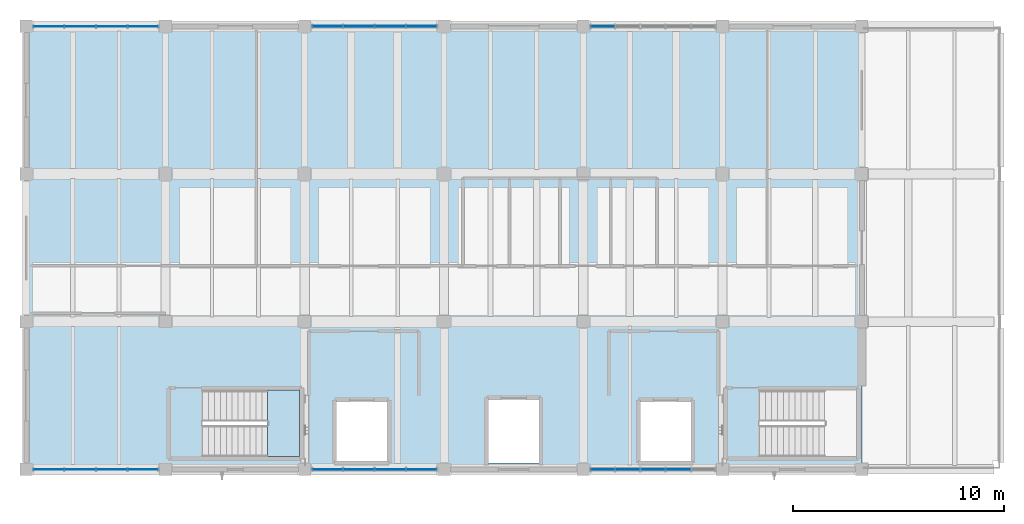
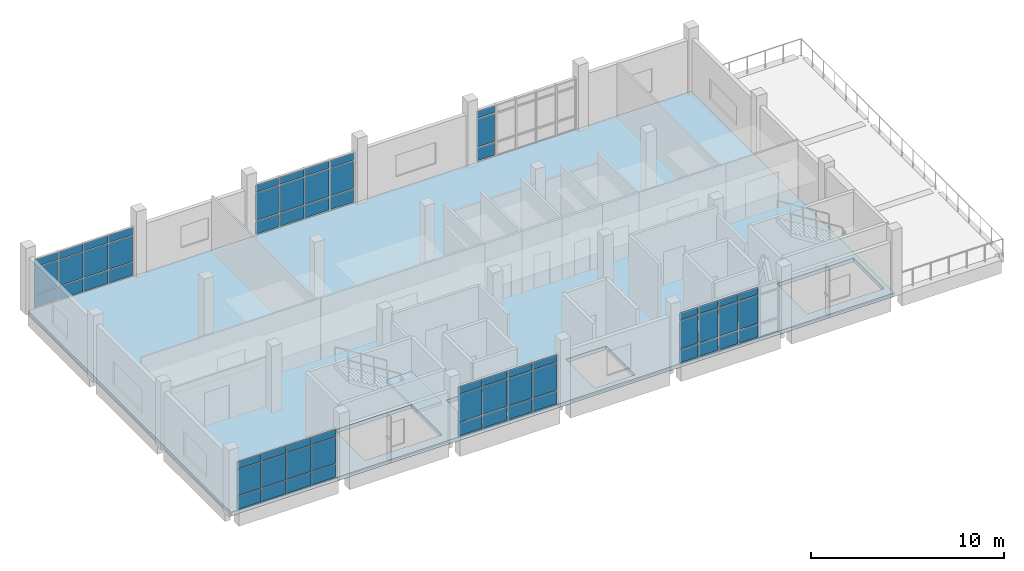
# One storey, part 6 of 14: 63 plates, 2 slabs, 7 elements without a shape of their own.
"""IFC4 building model written with IfcOpenShell, lengths in metres."""

from ifc_helpers import new_model, si_unit, direction, frame, origin, origin_2d, place, context, subcontext, project, spatial, polyline, rectangle, outline, extrude, material, layer, layer_set, type_object, element, aggregate, save


model = new_model("IFC4")

# Units and contexts
model_context = context("Model", 3, precision=1e-05, world=origin(), true_north=direction((0.0, 1.0)))
body_context = subcontext(model_context, "Body", "Model", "MODEL_VIEW")
ifc_project = project(units=[si_unit("LENGTHUNIT", "METRE"), si_unit("AREAUNIT", "SQUARE_METRE"), si_unit("VOLUMEUNIT", "CUBIC_METRE"), si_unit("PLANEANGLEUNIT", "RADIAN"), si_unit("MASSUNIT", "GRAM", prefix="KILO")], contexts=[model_context])

# Site, building, storey
site_placement = place(None, origin())
site = spatial("IfcSite", under=ifc_project, at=site_placement, CompositionType="ELEMENT")
building_placement = place(site_placement, origin())
building = spatial("IfcBuilding", under=site, at=building_placement, Name="Ciguamira Faculty of Natural Sciences", CompositionType="ELEMENT")
storey_placement = place(building_placement, frame((0.0, 0.0, 29.39990234375)))
storey = spatial("IfcBuildingStorey", under=building, at=storey_placement, Name="L07", CompositionType="ELEMENT", Elevation=29.39990234375)

# Curtain wall, plates
ifc_material_1 = material(Name="Anodized aluminium curtain wall", Category="aluminium")
curtain_wall_type_1 = type_object("IfcCurtainWallType", Name="CurtainWall_CW-05", PredefinedType="USERDEFINED", material=ifc_material_1)
curtain_wall_1_placement = place(storey_placement, origin())
curtain_wall_1 = element("IfcCurtainWall", 1, at=curtain_wall_1_placement, inside=storey, type_object=curtain_wall_type_1, Name="L07 unitised curtain wall 0149", ObjectType="UNITISED CURTAIN WALL", PredefinedType="USERDEFINED")
ifc_material_2 = material(Name="Low-E laminated solar glass", Category="glass")
ifc_layer_1 = layer(ifc_material_2, 0.028076171875, Name="Low-E laminated solar glass")
ifc_layer_set_1 = layer_set([ifc_layer_1], Name="Low-E laminated solar glass")
plate_type_1 = type_object("IfcPlateType", Name="CWPanel_CWP-01", PredefinedType="CURTAIN_PANEL", material=ifc_layer_set_1)
plate_1_placement = place(storey_placement, frame((78.16748046875, 94.0, 0.070068359375), z_axis=(0.0, 0.0, 1.0), x_axis=(1.0, 0.0, 0.0)))
plate_1 = element("IfcPlate", 2, at=plate_1_placement, type_object=plate_type_1, Name="CW-05 panel 1.1", PredefinedType="CURTAIN_PANEL", context=body_context, shape_type="SweptSolid", body=[
    extrude(rectangle(XDim=1.39501953125, YDim=0.028076171875, at=origin_2d()), origin(), (0.0, 0.0, 1.0), 0.794921875),
])
plate_2_placement = place(storey_placement, frame((78.16748046875, 94.0, 0.93505859375), z_axis=(0.0, 0.0, 1.0), x_axis=(1.0, 0.0, 0.0)))
plate_2 = element("IfcPlate", 3, at=plate_2_placement, type_object=plate_type_1, Name="CW-05 panel 1.2", PredefinedType="CURTAIN_PANEL", context=body_context, shape_type="SweptSolid", body=[
    extrude(rectangle(XDim=1.39501953125, YDim=0.028076171875, at=origin_2d()), origin(), (0.0, 0.0, 1.0), 1.715087890625),
])
plate_3_placement = place(storey_placement, frame((78.16748046875, 94.0, 2.72021484375), z_axis=(0.0, 0.0, 1.0), x_axis=(1.0, 0.0, 0.0)))
plate_3 = element("IfcPlate", 4, at=plate_3_placement, type_object=plate_type_1, Name="CW-05 panel 1.3", PredefinedType="CURTAIN_PANEL", context=body_context, shape_type="SweptSolid", body=[
    extrude(rectangle(XDim=1.39501953125, YDim=0.028076171875, at=origin_2d()), origin(), (0.0, 0.0, 1.0), 0.445068359375),
])
plate_4_placement = place(storey_placement, frame((79.64990234375, 94.0, 0.070068359375), z_axis=(0.0, 0.0, 1.0), x_axis=(1.0, 0.0, 0.0)))
plate_4 = element("IfcPlate", 5, at=plate_4_placement, type_object=plate_type_1, Name="CW-05 panel 2.1", PredefinedType="CURTAIN_PANEL", context=body_context, shape_type="SweptSolid", body=[
    extrude(rectangle(XDim=1.429931640625, YDim=0.028076171875, at=origin_2d()), origin(), (0.0, 0.0, 1.0), 0.794921875),
])
plate_5_placement = place(storey_placement, frame((79.64990234375, 94.0, 0.93505859375), z_axis=(0.0, 0.0, 1.0), x_axis=(1.0, 0.0, 0.0)))
plate_5 = element("IfcPlate", 6, at=plate_5_placement, type_object=plate_type_1, Name="CW-05 panel 2.2", PredefinedType="CURTAIN_PANEL", context=body_context, shape_type="SweptSolid", body=[
    extrude(rectangle(XDim=1.429931640625, YDim=0.028076171875, at=origin_2d()), origin(), (0.0, 0.0, 1.0), 1.715087890625),
])
plate_6_placement = place(storey_placement, frame((79.64990234375, 94.0, 2.72021484375), z_axis=(0.0, 0.0, 1.0), x_axis=(1.0, 0.0, 0.0)))
plate_6 = element("IfcPlate", 7, at=plate_6_placement, type_object=plate_type_1, Name="CW-05 panel 2.3", PredefinedType="CURTAIN_PANEL", context=body_context, shape_type="SweptSolid", body=[
    extrude(rectangle(XDim=1.429931640625, YDim=0.028076171875, at=origin_2d()), origin(), (0.0, 0.0, 1.0), 0.445068359375),
])
plate_7_placement = place(storey_placement, frame((81.14990234375, 94.0, 0.070068359375), z_axis=(0.0, 0.0, 1.0), x_axis=(1.0, 0.0, 0.0)))
plate_7 = element("IfcPlate", 8, at=plate_7_placement, type_object=plate_type_1, Name="CW-05 panel 3.1", PredefinedType="CURTAIN_PANEL", context=body_context, shape_type="SweptSolid", body=[
    extrude(rectangle(XDim=1.429931640625, YDim=0.028076171875, at=origin_2d()), origin(), (0.0, 0.0, 1.0), 0.794921875),
])
plate_8_placement = place(storey_placement, frame((81.14990234375, 94.0, 0.93505859375), z_axis=(0.0, 0.0, 1.0), x_axis=(1.0, 0.0, 0.0)))
plate_8 = element("IfcPlate", 9, at=plate_8_placement, type_object=plate_type_1, Name="CW-05 panel 3.2", PredefinedType="CURTAIN_PANEL", context=body_context, shape_type="SweptSolid", body=[
    extrude(rectangle(XDim=1.429931640625, YDim=0.028076171875, at=origin_2d()), origin(), (0.0, 0.0, 1.0), 1.715087890625),
])
plate_9_placement = place(storey_placement, frame((81.14990234375, 94.0, 2.72021484375), z_axis=(0.0, 0.0, 1.0), x_axis=(1.0, 0.0, 0.0)))
plate_9 = element("IfcPlate", 10, at=plate_9_placement, type_object=plate_type_1, Name="CW-05 panel 3.3", PredefinedType="CURTAIN_PANEL", context=body_context, shape_type="SweptSolid", body=[
    extrude(rectangle(XDim=1.429931640625, YDim=0.028076171875, at=origin_2d()), origin(), (0.0, 0.0, 1.0), 0.445068359375),
])
plate_10_placement = place(storey_placement, frame((82.632568359375, 94.0, 0.070068359375), z_axis=(0.0, 0.0, 1.0), x_axis=(1.0, 0.0, 0.0)))
plate_10 = element("IfcPlate", 11, at=plate_10_placement, type_object=plate_type_1, Name="CW-05 panel 4.1", PredefinedType="CURTAIN_PANEL", context=body_context, shape_type="SweptSolid", body=[
    extrude(rectangle(XDim=1.39501953125, YDim=0.028076171875, at=origin_2d()), origin(), (0.0, 0.0, 1.0), 0.794921875),
])
plate_11_placement = place(storey_placement, frame((82.632568359375, 94.0, 0.93505859375), z_axis=(0.0, 0.0, 1.0), x_axis=(1.0, 0.0, 0.0)))
plate_11 = element("IfcPlate", 12, at=plate_11_placement, type_object=plate_type_1, Name="CW-05 panel 4.2", PredefinedType="CURTAIN_PANEL", context=body_context, shape_type="SweptSolid", body=[
    extrude(rectangle(XDim=1.39501953125, YDim=0.028076171875, at=origin_2d()), origin(), (0.0, 0.0, 1.0), 1.715087890625),
])
plate_12_placement = place(storey_placement, frame((82.632568359375, 94.0, 2.72021484375), z_axis=(0.0, 0.0, 1.0), x_axis=(1.0, 0.0, 0.0)))
plate_12 = element("IfcPlate", 13, at=plate_12_placement, type_object=plate_type_1, Name="CW-05 panel 4.3", PredefinedType="CURTAIN_PANEL", context=body_context, shape_type="SweptSolid", body=[
    extrude(rectangle(XDim=1.39501953125, YDim=0.028076171875, at=origin_2d()), origin(), (0.0, 0.0, 1.0), 0.445068359375),
])
aggregate(curtain_wall_1, [plate_1, plate_2, plate_3, plate_4, plate_5, plate_6, plate_7, plate_8, plate_9, plate_10, plate_11, plate_12])

curtain_wall_type_2 = type_object("IfcCurtainWallType", Name="CurtainWall_CW-07", PredefinedType="USERDEFINED", material=ifc_material_1)
curtain_wall_2_placement = place(storey_placement, origin())
curtain_wall_2 = element("IfcCurtainWall", 14, at=curtain_wall_2_placement, inside=storey, type_object=curtain_wall_type_2, Name="L07 unitised curtain wall 0151", ObjectType="UNITISED CURTAIN WALL", PredefinedType="USERDEFINED")
plate_13_placement = place(storey_placement, frame((64.965087890625, 115.0, 0.06005859375), z_axis=(0.0, 0.0, 1.0), x_axis=(1.0, 0.0, 0.0)))
plate_13 = element("IfcPlate", 15, at=plate_13_placement, type_object=plate_type_1, Name="CW-07 panel 1.1", PredefinedType="CURTAIN_PANEL", context=body_context, shape_type="SweptSolid", body=[
    extrude(rectangle(XDim=1.409912109375, YDim=0.028076171875, at=origin_2d()), origin(), (0.0, 0.0, 1.0), 0.81005859375),
])
plate_14_placement = place(storey_placement, frame((64.965087890625, 115.0, 0.93017578125), z_axis=(0.0, 0.0, 1.0), x_axis=(1.0, 0.0, 0.0)))
plate_14 = element("IfcPlate", 16, at=plate_14_placement, type_object=plate_type_1, Name="CW-07 panel 1.2", PredefinedType="CURTAIN_PANEL", context=body_context, shape_type="SweptSolid", body=[
    extrude(rectangle(XDim=1.409912109375, YDim=0.028076171875, at=origin_2d()), origin(), (0.0, 0.0, 1.0), 1.625),
])
plate_15_placement = place(storey_placement, frame((64.965087890625, 115.0, 2.615234375), z_axis=(0.0, 0.0, 1.0), x_axis=(1.0, 0.0, 0.0)))
plate_15 = element("IfcPlate", 17, at=plate_15_placement, type_object=plate_type_1, Name="CW-07 panel 1.3", PredefinedType="CURTAIN_PANEL", context=body_context, shape_type="SweptSolid", body=[
    extrude(rectangle(XDim=1.409912109375, YDim=0.028076171875, at=origin_2d()), origin(), (0.0, 0.0, 1.0), 0.4599609375),
])
plate_16_placement = place(storey_placement, frame((66.449951171875, 115.0, 0.06005859375), z_axis=(0.0, 0.0, 1.0), x_axis=(1.0, 0.0, 0.0)))
plate_16 = element("IfcPlate", 18, at=plate_16_placement, type_object=plate_type_1, Name="CW-07 panel 2.1", PredefinedType="CURTAIN_PANEL", context=body_context, shape_type="SweptSolid", body=[
    extrude(rectangle(XDim=1.43994140625, YDim=0.028076171875, at=origin_2d()), origin(), (0.0, 0.0, 1.0), 0.81005859375),
])
plate_17_placement = place(storey_placement, frame((66.449951171875, 115.0, 0.93017578125), z_axis=(0.0, 0.0, 1.0), x_axis=(1.0, 0.0, 0.0)))
plate_17 = element("IfcPlate", 19, at=plate_17_placement, type_object=plate_type_1, Name="CW-07 panel 2.2", PredefinedType="CURTAIN_PANEL", context=body_context, shape_type="SweptSolid", body=[
    extrude(rectangle(XDim=1.43994140625, YDim=0.028076171875, at=origin_2d()), origin(), (0.0, 0.0, 1.0), 1.625),
])
plate_18_placement = place(storey_placement, frame((66.449951171875, 115.0, 2.615234375), z_axis=(0.0, 0.0, 1.0), x_axis=(1.0, 0.0, 0.0)))
plate_18 = element("IfcPlate", 20, at=plate_18_placement, type_object=plate_type_1, Name="CW-07 panel 2.3", PredefinedType="CURTAIN_PANEL", context=body_context, shape_type="SweptSolid", body=[
    extrude(rectangle(XDim=1.43994140625, YDim=0.028076171875, at=origin_2d()), origin(), (0.0, 0.0, 1.0), 0.4599609375),
])
plate_19_placement = place(storey_placement, frame((67.949951171875, 115.0, 0.06005859375), z_axis=(0.0, 0.0, 1.0), x_axis=(1.0, 0.0, 0.0)))
plate_19 = element("IfcPlate", 21, at=plate_19_placement, type_object=plate_type_1, Name="CW-07 panel 3.1", PredefinedType="CURTAIN_PANEL", context=body_context, shape_type="SweptSolid", body=[
    extrude(rectangle(XDim=1.43994140625, YDim=0.028076171875, at=origin_2d()), origin(), (0.0, 0.0, 1.0), 0.81005859375),
])
plate_20_placement = place(storey_placement, frame((67.949951171875, 115.0, 0.93017578125), z_axis=(0.0, 0.0, 1.0), x_axis=(1.0, 0.0, 0.0)))
plate_20 = element("IfcPlate", 22, at=plate_20_placement, type_object=plate_type_1, Name="CW-07 panel 3.2", PredefinedType="CURTAIN_PANEL", context=body_context, shape_type="SweptSolid", body=[
    extrude(rectangle(XDim=1.43994140625, YDim=0.028076171875, at=origin_2d()), origin(), (0.0, 0.0, 1.0), 1.625),
])
plate_21_placement = place(storey_placement, frame((67.949951171875, 115.0, 2.615234375), z_axis=(0.0, 0.0, 1.0), x_axis=(1.0, 0.0, 0.0)))
plate_21 = element("IfcPlate", 23, at=plate_21_placement, type_object=plate_type_1, Name="CW-07 panel 3.3", PredefinedType="CURTAIN_PANEL", context=body_context, shape_type="SweptSolid", body=[
    extrude(rectangle(XDim=1.43994140625, YDim=0.028076171875, at=origin_2d()), origin(), (0.0, 0.0, 1.0), 0.4599609375),
])
plate_22_placement = place(storey_placement, frame((69.43505859375, 115.0, 0.06005859375), z_axis=(0.0, 0.0, 1.0), x_axis=(1.0, 0.0, 0.0)))
plate_22 = element("IfcPlate", 24, at=plate_22_placement, type_object=plate_type_1, Name="CW-07 panel 4.1", PredefinedType="CURTAIN_PANEL", context=body_context, shape_type="SweptSolid", body=[
    extrude(rectangle(XDim=1.409912109375, YDim=0.028076171875, at=origin_2d()), origin(), (0.0, 0.0, 1.0), 0.81005859375),
])
plate_23_placement = place(storey_placement, frame((69.43505859375, 115.0, 0.93017578125), z_axis=(0.0, 0.0, 1.0), x_axis=(1.0, 0.0, 0.0)))
plate_23 = element("IfcPlate", 25, at=plate_23_placement, type_object=plate_type_1, Name="CW-07 panel 4.2", PredefinedType="CURTAIN_PANEL", context=body_context, shape_type="SweptSolid", body=[
    extrude(rectangle(XDim=1.409912109375, YDim=0.028076171875, at=origin_2d()), origin(), (0.0, 0.0, 1.0), 1.625),
])
plate_24_placement = place(storey_placement, frame((69.43505859375, 115.0, 2.615234375), z_axis=(0.0, 0.0, 1.0), x_axis=(1.0, 0.0, 0.0)))
plate_24 = element("IfcPlate", 26, at=plate_24_placement, type_object=plate_type_1, Name="CW-07 panel 4.3", PredefinedType="CURTAIN_PANEL", context=body_context, shape_type="SweptSolid", body=[
    extrude(rectangle(XDim=1.409912109375, YDim=0.028076171875, at=origin_2d()), origin(), (0.0, 0.0, 1.0), 0.4599609375),
])
aggregate(curtain_wall_2, [plate_13, plate_14, plate_15, plate_16, plate_17, plate_18, plate_19, plate_20, plate_21, plate_22, plate_23, plate_24])

curtain_wall_type_3 = type_object("IfcCurtainWallType", Name="CurtainWall_CW-09", PredefinedType="USERDEFINED", material=ifc_material_1)
curtain_wall_3_placement = place(storey_placement, origin())
curtain_wall_3 = element("IfcCurtainWall", 27, at=curtain_wall_3_placement, inside=storey, type_object=curtain_wall_type_3, Name="L07 unitised curtain wall 0153", ObjectType="UNITISED CURTAIN WALL", PredefinedType="USERDEFINED")
plate_25_placement = place(storey_placement, frame((91.219970703125, 115.0, 0.080078125), z_axis=(0.0, 0.0, 1.0), x_axis=(1.0, 0.0, 0.0)))
plate_25 = element("IfcPlate", 28, at=plate_25_placement, type_object=plate_type_1, Name="CW-09 panel 1.1", PredefinedType="CURTAIN_PANEL", context=body_context, shape_type="SweptSolid", body=[
    extrude(rectangle(XDim=1.080078125, YDim=0.028076171875, at=origin_2d()), origin(), (0.0, 0.0, 1.0), 0.780029296875),
])
plate_26_placement = place(storey_placement, frame((91.219970703125, 115.0, 0.940185546875), z_axis=(0.0, 0.0, 1.0), x_axis=(1.0, 0.0, 0.0)))
plate_26 = element("IfcPlate", 29, at=plate_26_placement, type_object=plate_type_1, Name="CW-09 panel 1.2", PredefinedType="CURTAIN_PANEL", context=body_context, shape_type="SweptSolid", body=[
    extrude(rectangle(XDim=1.080078125, YDim=0.028076171875, at=origin_2d()), origin(), (0.0, 0.0, 1.0), 1.7548828125),
])
plate_27_placement = place(storey_placement, frame((91.219970703125, 115.0, 2.77490234375), z_axis=(0.0, 0.0, 1.0), x_axis=(1.0, 0.0, 0.0)))
plate_27 = element("IfcPlate", 30, at=plate_27_placement, type_object=plate_type_1, Name="CW-09 panel 1.3", PredefinedType="CURTAIN_PANEL", context=body_context, shape_type="SweptSolid", body=[
    extrude(rectangle(XDim=1.080078125, YDim=0.028076171875, at=origin_2d()), origin(), (0.0, 0.0, 1.0), 0.429931640625),
])
aggregate(curtain_wall_3, [plate_25, plate_26, plate_27])

curtain_wall_type_4 = type_object("IfcCurtainWallType", Name="CurtainWall_CW-04", PredefinedType="USERDEFINED", material=ifc_material_1)
curtain_wall_4_placement = place(storey_placement, origin())
curtain_wall_4 = element("IfcCurtainWall", 31, at=curtain_wall_4_placement, inside=storey, type_object=curtain_wall_type_4, Name="L07 unitised curtain wall 0148", ObjectType="UNITISED CURTAIN WALL", PredefinedType="USERDEFINED")
ifc_layer_2 = layer(ifc_material_2, 0.035888671875, Name="Low-E laminated solar glass")
ifc_layer_set_2 = layer_set([ifc_layer_2], Name="Low-E laminated solar glass")
plate_type_2 = type_object("IfcPlateType", Name="CWPanel_CWP-02", PredefinedType="CURTAIN_PANEL", material=ifc_layer_set_2)
plate_28_placement = place(storey_placement, frame((64.965087890625, 94.0, 0.06005859375), z_axis=(0.0, 0.0, 1.0), x_axis=(1.0, 0.0, 0.0)))
plate_28 = element("IfcPlate", 32, at=plate_28_placement, type_object=plate_type_2, Name="CW-04 panel 1.1", PredefinedType="CURTAIN_PANEL", context=body_context, shape_type="SweptSolid", body=[
    extrude(rectangle(XDim=1.409912109375, YDim=0.035888671875, at=origin_2d()), origin(), (0.0, 0.0, 1.0), 0.81005859375),
])
plate_29_placement = place(storey_placement, frame((64.965087890625, 94.0, 0.93017578125), z_axis=(0.0, 0.0, 1.0), x_axis=(1.0, 0.0, 0.0)))
plate_29 = element("IfcPlate", 33, at=plate_29_placement, type_object=plate_type_2, Name="CW-04 panel 1.2", PredefinedType="CURTAIN_PANEL", context=body_context, shape_type="SweptSolid", body=[
    extrude(rectangle(XDim=1.409912109375, YDim=0.035888671875, at=origin_2d()), origin(), (0.0, 0.0, 1.0), 1.625),
])
plate_30_placement = place(storey_placement, frame((64.965087890625, 94.0, 2.615234375), z_axis=(0.0, 0.0, 1.0), x_axis=(1.0, 0.0, 0.0)))
plate_30 = element("IfcPlate", 34, at=plate_30_placement, type_object=plate_type_2, Name="CW-04 panel 1.3", PredefinedType="CURTAIN_PANEL", context=body_context, shape_type="SweptSolid", body=[
    extrude(rectangle(XDim=1.409912109375, YDim=0.035888671875, at=origin_2d()), origin(), (0.0, 0.0, 1.0), 0.4599609375),
])
plate_31_placement = place(storey_placement, frame((66.449951171875, 94.0, 0.06005859375), z_axis=(0.0, 0.0, 1.0), x_axis=(1.0, 0.0, 0.0)))
plate_31 = element("IfcPlate", 35, at=plate_31_placement, type_object=plate_type_2, Name="CW-04 panel 2.1", PredefinedType="CURTAIN_PANEL", context=body_context, shape_type="SweptSolid", body=[
    extrude(rectangle(XDim=1.43994140625, YDim=0.035888671875, at=origin_2d()), origin(), (0.0, 0.0, 1.0), 0.81005859375),
])
plate_32_placement = place(storey_placement, frame((66.449951171875, 94.0, 0.93017578125), z_axis=(0.0, 0.0, 1.0), x_axis=(1.0, 0.0, 0.0)))
plate_32 = element("IfcPlate", 36, at=plate_32_placement, type_object=plate_type_2, Name="CW-04 panel 2.2", PredefinedType="CURTAIN_PANEL", context=body_context, shape_type="SweptSolid", body=[
    extrude(rectangle(XDim=1.43994140625, YDim=0.035888671875, at=origin_2d()), origin(), (0.0, 0.0, 1.0), 1.625),
])
plate_33_placement = place(storey_placement, frame((66.449951171875, 94.0, 2.615234375), z_axis=(0.0, 0.0, 1.0), x_axis=(1.0, 0.0, 0.0)))
plate_33 = element("IfcPlate", 37, at=plate_33_placement, type_object=plate_type_2, Name="CW-04 panel 2.3", PredefinedType="CURTAIN_PANEL", context=body_context, shape_type="SweptSolid", body=[
    extrude(rectangle(XDim=1.43994140625, YDim=0.035888671875, at=origin_2d()), origin(), (0.0, 0.0, 1.0), 0.4599609375),
])
plate_34_placement = place(storey_placement, frame((67.949951171875, 94.0, 0.06005859375), z_axis=(0.0, 0.0, 1.0), x_axis=(1.0, 0.0, 0.0)))
plate_34 = element("IfcPlate", 38, at=plate_34_placement, type_object=plate_type_2, Name="CW-04 panel 3.1", PredefinedType="CURTAIN_PANEL", context=body_context, shape_type="SweptSolid", body=[
    extrude(rectangle(XDim=1.43994140625, YDim=0.035888671875, at=origin_2d()), origin(), (0.0, 0.0, 1.0), 0.81005859375),
])
plate_35_placement = place(storey_placement, frame((67.949951171875, 94.0, 0.93017578125), z_axis=(0.0, 0.0, 1.0), x_axis=(1.0, 0.0, 0.0)))
plate_35 = element("IfcPlate", 39, at=plate_35_placement, type_object=plate_type_2, Name="CW-04 panel 3.2", PredefinedType="CURTAIN_PANEL", context=body_context, shape_type="SweptSolid", body=[
    extrude(rectangle(XDim=1.43994140625, YDim=0.035888671875, at=origin_2d()), origin(), (0.0, 0.0, 1.0), 1.625),
])
plate_36_placement = place(storey_placement, frame((67.949951171875, 94.0, 2.615234375), z_axis=(0.0, 0.0, 1.0), x_axis=(1.0, 0.0, 0.0)))
plate_36 = element("IfcPlate", 40, at=plate_36_placement, type_object=plate_type_2, Name="CW-04 panel 3.3", PredefinedType="CURTAIN_PANEL", context=body_context, shape_type="SweptSolid", body=[
    extrude(rectangle(XDim=1.43994140625, YDim=0.035888671875, at=origin_2d()), origin(), (0.0, 0.0, 1.0), 0.4599609375),
])
plate_37_placement = place(storey_placement, frame((69.43505859375, 94.0, 0.06005859375), z_axis=(0.0, 0.0, 1.0), x_axis=(1.0, 0.0, 0.0)))
plate_37 = element("IfcPlate", 41, at=plate_37_placement, type_object=plate_type_2, Name="CW-04 panel 4.1", PredefinedType="CURTAIN_PANEL", context=body_context, shape_type="SweptSolid", body=[
    extrude(rectangle(XDim=1.409912109375, YDim=0.035888671875, at=origin_2d()), origin(), (0.0, 0.0, 1.0), 0.81005859375),
])
plate_38_placement = place(storey_placement, frame((69.43505859375, 94.0, 0.93017578125), z_axis=(0.0, 0.0, 1.0), x_axis=(1.0, 0.0, 0.0)))
plate_38 = element("IfcPlate", 42, at=plate_38_placement, type_object=plate_type_2, Name="CW-04 panel 4.2", PredefinedType="CURTAIN_PANEL", context=body_context, shape_type="SweptSolid", body=[
    extrude(rectangle(XDim=1.409912109375, YDim=0.035888671875, at=origin_2d()), origin(), (0.0, 0.0, 1.0), 1.625),
])
plate_39_placement = place(storey_placement, frame((69.43505859375, 94.0, 2.615234375), z_axis=(0.0, 0.0, 1.0), x_axis=(1.0, 0.0, 0.0)))
plate_39 = element("IfcPlate", 43, at=plate_39_placement, type_object=plate_type_2, Name="CW-04 panel 4.3", PredefinedType="CURTAIN_PANEL", context=body_context, shape_type="SweptSolid", body=[
    extrude(rectangle(XDim=1.409912109375, YDim=0.035888671875, at=origin_2d()), origin(), (0.0, 0.0, 1.0), 0.4599609375),
])
aggregate(curtain_wall_4, [plate_28, plate_29, plate_30, plate_31, plate_32, plate_33, plate_34, plate_35, plate_36, plate_37, plate_38, plate_39])

curtain_wall_type_5 = type_object("IfcCurtainWallType", Name="CurtainWall_CW-06", PredefinedType="USERDEFINED", material=ifc_material_1)
curtain_wall_5_placement = place(storey_placement, origin())
curtain_wall_5 = element("IfcCurtainWall", 44, at=curtain_wall_5_placement, inside=storey, type_object=curtain_wall_type_5, Name="L07 unitised curtain wall 0150", ObjectType="UNITISED CURTAIN WALL", PredefinedType="USERDEFINED")
plate_40_placement = place(storey_placement, frame((91.219970703125, 94.0, 0.080078125), z_axis=(0.0, 0.0, 1.0), x_axis=(1.0, 0.0, 0.0)))
plate_40 = element("IfcPlate", 45, at=plate_40_placement, type_object=plate_type_2, Name="CW-06 panel 1.1", PredefinedType="CURTAIN_PANEL", context=body_context, shape_type="SweptSolid", body=[
    extrude(rectangle(XDim=1.080078125, YDim=0.035888671875, at=origin_2d()), origin(), (0.0, 0.0, 1.0), 0.780029296875),
])
plate_41_placement = place(storey_placement, frame((91.219970703125, 94.0, 0.940185546875), z_axis=(0.0, 0.0, 1.0), x_axis=(1.0, 0.0, 0.0)))
plate_41 = element("IfcPlate", 46, at=plate_41_placement, type_object=plate_type_2, Name="CW-06 panel 1.2", PredefinedType="CURTAIN_PANEL", context=body_context, shape_type="SweptSolid", body=[
    extrude(rectangle(XDim=1.080078125, YDim=0.035888671875, at=origin_2d()), origin(), (0.0, 0.0, 1.0), 1.7548828125),
])
plate_42_placement = place(storey_placement, frame((91.219970703125, 94.0, 2.77490234375), z_axis=(0.0, 0.0, 1.0), x_axis=(1.0, 0.0, 0.0)))
plate_42 = element("IfcPlate", 47, at=plate_42_placement, type_object=plate_type_2, Name="CW-06 panel 1.3", PredefinedType="CURTAIN_PANEL", context=body_context, shape_type="SweptSolid", body=[
    extrude(rectangle(XDim=1.080078125, YDim=0.035888671875, at=origin_2d()), origin(), (0.0, 0.0, 1.0), 0.429931640625),
])
plate_43_placement = place(storey_placement, frame((92.39990234375, 94.0, 0.080078125), z_axis=(0.0, 0.0, 1.0), x_axis=(1.0, 0.0, 0.0)))
plate_43 = element("IfcPlate", 48, at=plate_43_placement, type_object=plate_type_2, Name="CW-06 panel 2.1", PredefinedType="CURTAIN_PANEL", context=body_context, shape_type="SweptSolid", body=[
    extrude(rectangle(XDim=1.1201171875, YDim=0.035888671875, at=origin_2d()), origin(), (0.0, 0.0, 1.0), 0.780029296875),
])
plate_44_placement = place(storey_placement, frame((92.39990234375, 94.0, 0.940185546875), z_axis=(0.0, 0.0, 1.0), x_axis=(1.0, 0.0, 0.0)))
plate_44 = element("IfcPlate", 49, at=plate_44_placement, type_object=plate_type_2, Name="CW-06 panel 2.2", PredefinedType="CURTAIN_PANEL", context=body_context, shape_type="SweptSolid", body=[
    extrude(rectangle(XDim=1.1201171875, YDim=0.035888671875, at=origin_2d()), origin(), (0.0, 0.0, 1.0), 1.7548828125),
])
plate_45_placement = place(storey_placement, frame((92.39990234375, 94.0, 2.77490234375), z_axis=(0.0, 0.0, 1.0), x_axis=(1.0, 0.0, 0.0)))
plate_45 = element("IfcPlate", 50, at=plate_45_placement, type_object=plate_type_2, Name="CW-06 panel 2.3", PredefinedType="CURTAIN_PANEL", context=body_context, shape_type="SweptSolid", body=[
    extrude(rectangle(XDim=1.1201171875, YDim=0.035888671875, at=origin_2d()), origin(), (0.0, 0.0, 1.0), 0.429931640625),
])
plate_46_placement = place(storey_placement, frame((93.60009765625, 94.0, 0.080078125), z_axis=(0.0, 0.0, 1.0), x_axis=(1.0, 0.0, 0.0)))
plate_46 = element("IfcPlate", 51, at=plate_46_placement, type_object=plate_type_2, Name="CW-06 panel 3.1", PredefinedType="CURTAIN_PANEL", context=body_context, shape_type="SweptSolid", body=[
    extrude(rectangle(XDim=1.1201171875, YDim=0.035888671875, at=origin_2d()), origin(), (0.0, 0.0, 1.0), 0.780029296875),
])
plate_47_placement = place(storey_placement, frame((93.60009765625, 94.0, 0.940185546875), z_axis=(0.0, 0.0, 1.0), x_axis=(1.0, 0.0, 0.0)))
plate_47 = element("IfcPlate", 52, at=plate_47_placement, type_object=plate_type_2, Name="CW-06 panel 3.2", PredefinedType="CURTAIN_PANEL", context=body_context, shape_type="SweptSolid", body=[
    extrude(rectangle(XDim=1.1201171875, YDim=0.035888671875, at=origin_2d()), origin(), (0.0, 0.0, 1.0), 1.7548828125),
])
plate_48_placement = place(storey_placement, frame((93.60009765625, 94.0, 2.77490234375), z_axis=(0.0, 0.0, 1.0), x_axis=(1.0, 0.0, 0.0)))
plate_48 = element("IfcPlate", 53, at=plate_48_placement, type_object=plate_type_2, Name="CW-06 panel 3.3", PredefinedType="CURTAIN_PANEL", context=body_context, shape_type="SweptSolid", body=[
    extrude(rectangle(XDim=1.1201171875, YDim=0.035888671875, at=origin_2d()), origin(), (0.0, 0.0, 1.0), 0.429931640625),
])
plate_49_placement = place(storey_placement, frame((94.800048828125, 94.0, 0.080078125), z_axis=(0.0, 0.0, 1.0), x_axis=(1.0, 0.0, 0.0)))
plate_49 = element("IfcPlate", 54, at=plate_49_placement, type_object=plate_type_2, Name="CW-06 panel 4.1", PredefinedType="CURTAIN_PANEL", context=body_context, shape_type="SweptSolid", body=[
    extrude(rectangle(XDim=1.1201171875, YDim=0.035888671875, at=origin_2d()), origin(), (0.0, 0.0, 1.0), 0.780029296875),
])
plate_50_placement = place(storey_placement, frame((94.800048828125, 94.0, 0.940185546875), z_axis=(0.0, 0.0, 1.0), x_axis=(1.0, 0.0, 0.0)))
plate_50 = element("IfcPlate", 55, at=plate_50_placement, type_object=plate_type_2, Name="CW-06 panel 4.2", PredefinedType="CURTAIN_PANEL", context=body_context, shape_type="SweptSolid", body=[
    extrude(rectangle(XDim=1.1201171875, YDim=0.035888671875, at=origin_2d()), origin(), (0.0, 0.0, 1.0), 1.7548828125),
])
plate_51_placement = place(storey_placement, frame((94.800048828125, 94.0, 2.77490234375), z_axis=(0.0, 0.0, 1.0), x_axis=(1.0, 0.0, 0.0)))
plate_51 = element("IfcPlate", 56, at=plate_51_placement, type_object=plate_type_2, Name="CW-06 panel 4.3", PredefinedType="CURTAIN_PANEL", context=body_context, shape_type="SweptSolid", body=[
    extrude(rectangle(XDim=1.1201171875, YDim=0.035888671875, at=origin_2d()), origin(), (0.0, 0.0, 1.0), 0.429931640625),
])
aggregate(curtain_wall_5, [plate_40, plate_41, plate_42, plate_43, plate_44, plate_45, plate_46, plate_47, plate_48, plate_49, plate_50, plate_51])

curtain_wall_type_6 = type_object("IfcCurtainWallType", Name="CurtainWall_CW-08", PredefinedType="USERDEFINED", material=ifc_material_1)
curtain_wall_6_placement = place(storey_placement, origin())
curtain_wall_6 = element("IfcCurtainWall", 57, at=curtain_wall_6_placement, inside=storey, type_object=curtain_wall_type_6, Name="L07 unitised curtain wall 0152", ObjectType="UNITISED CURTAIN WALL", PredefinedType="USERDEFINED")
plate_52_placement = place(storey_placement, frame((78.16748046875, 115.0, 0.070068359375), z_axis=(0.0, 0.0, 1.0), x_axis=(1.0, 0.0, 0.0)))
plate_52 = element("IfcPlate", 58, at=plate_52_placement, type_object=plate_type_2, Name="CW-08 panel 1.1", PredefinedType="CURTAIN_PANEL", context=body_context, shape_type="SweptSolid", body=[
    extrude(rectangle(XDim=1.39501953125, YDim=0.035888671875, at=origin_2d()), origin(), (0.0, 0.0, 1.0), 0.794921875),
])
plate_53_placement = place(storey_placement, frame((78.16748046875, 115.0, 0.93505859375), z_axis=(0.0, 0.0, 1.0), x_axis=(1.0, 0.0, 0.0)))
plate_53 = element("IfcPlate", 59, at=plate_53_placement, type_object=plate_type_2, Name="CW-08 panel 1.2", PredefinedType="CURTAIN_PANEL", context=body_context, shape_type="SweptSolid", body=[
    extrude(rectangle(XDim=1.39501953125, YDim=0.035888671875, at=origin_2d()), origin(), (0.0, 0.0, 1.0), 1.715087890625),
])
plate_54_placement = place(storey_placement, frame((78.16748046875, 115.0, 2.72021484375), z_axis=(0.0, 0.0, 1.0), x_axis=(1.0, 0.0, 0.0)))
plate_54 = element("IfcPlate", 60, at=plate_54_placement, type_object=plate_type_2, Name="CW-08 panel 1.3", PredefinedType="CURTAIN_PANEL", context=body_context, shape_type="SweptSolid", body=[
    extrude(rectangle(XDim=1.39501953125, YDim=0.035888671875, at=origin_2d()), origin(), (0.0, 0.0, 1.0), 0.445068359375),
])
plate_55_placement = place(storey_placement, frame((79.64990234375, 115.0, 0.070068359375), z_axis=(0.0, 0.0, 1.0), x_axis=(1.0, 0.0, 0.0)))
plate_55 = element("IfcPlate", 61, at=plate_55_placement, type_object=plate_type_2, Name="CW-08 panel 2.1", PredefinedType="CURTAIN_PANEL", context=body_context, shape_type="SweptSolid", body=[
    extrude(rectangle(XDim=1.429931640625, YDim=0.035888671875, at=origin_2d()), origin(), (0.0, 0.0, 1.0), 0.794921875),
])
plate_56_placement = place(storey_placement, frame((79.64990234375, 115.0, 0.93505859375), z_axis=(0.0, 0.0, 1.0), x_axis=(1.0, 0.0, 0.0)))
plate_56 = element("IfcPlate", 62, at=plate_56_placement, type_object=plate_type_2, Name="CW-08 panel 2.2", PredefinedType="CURTAIN_PANEL", context=body_context, shape_type="SweptSolid", body=[
    extrude(rectangle(XDim=1.429931640625, YDim=0.035888671875, at=origin_2d()), origin(), (0.0, 0.0, 1.0), 1.715087890625),
])
plate_57_placement = place(storey_placement, frame((79.64990234375, 115.0, 2.72021484375), z_axis=(0.0, 0.0, 1.0), x_axis=(1.0, 0.0, 0.0)))
plate_57 = element("IfcPlate", 63, at=plate_57_placement, type_object=plate_type_2, Name="CW-08 panel 2.3", PredefinedType="CURTAIN_PANEL", context=body_context, shape_type="SweptSolid", body=[
    extrude(rectangle(XDim=1.429931640625, YDim=0.035888671875, at=origin_2d()), origin(), (0.0, 0.0, 1.0), 0.445068359375),
])
plate_58_placement = place(storey_placement, frame((81.14990234375, 115.0, 0.070068359375), z_axis=(0.0, 0.0, 1.0), x_axis=(1.0, 0.0, 0.0)))
plate_58 = element("IfcPlate", 64, at=plate_58_placement, type_object=plate_type_2, Name="CW-08 panel 3.1", PredefinedType="CURTAIN_PANEL", context=body_context, shape_type="SweptSolid", body=[
    extrude(rectangle(XDim=1.429931640625, YDim=0.035888671875, at=origin_2d()), origin(), (0.0, 0.0, 1.0), 0.794921875),
])
plate_59_placement = place(storey_placement, frame((81.14990234375, 115.0, 0.93505859375), z_axis=(0.0, 0.0, 1.0), x_axis=(1.0, 0.0, 0.0)))
plate_59 = element("IfcPlate", 65, at=plate_59_placement, type_object=plate_type_2, Name="CW-08 panel 3.2", PredefinedType="CURTAIN_PANEL", context=body_context, shape_type="SweptSolid", body=[
    extrude(rectangle(XDim=1.429931640625, YDim=0.035888671875, at=origin_2d()), origin(), (0.0, 0.0, 1.0), 1.715087890625),
])
plate_60_placement = place(storey_placement, frame((81.14990234375, 115.0, 2.72021484375), z_axis=(0.0, 0.0, 1.0), x_axis=(1.0, 0.0, 0.0)))
plate_60 = element("IfcPlate", 66, at=plate_60_placement, type_object=plate_type_2, Name="CW-08 panel 3.3", PredefinedType="CURTAIN_PANEL", context=body_context, shape_type="SweptSolid", body=[
    extrude(rectangle(XDim=1.429931640625, YDim=0.035888671875, at=origin_2d()), origin(), (0.0, 0.0, 1.0), 0.445068359375),
])
plate_61_placement = place(storey_placement, frame((82.632568359375, 115.0, 0.070068359375), z_axis=(0.0, 0.0, 1.0), x_axis=(1.0, 0.0, 0.0)))
plate_61 = element("IfcPlate", 67, at=plate_61_placement, type_object=plate_type_2, Name="CW-08 panel 4.1", PredefinedType="CURTAIN_PANEL", context=body_context, shape_type="SweptSolid", body=[
    extrude(rectangle(XDim=1.39501953125, YDim=0.035888671875, at=origin_2d()), origin(), (0.0, 0.0, 1.0), 0.794921875),
])
plate_62_placement = place(storey_placement, frame((82.632568359375, 115.0, 0.93505859375), z_axis=(0.0, 0.0, 1.0), x_axis=(1.0, 0.0, 0.0)))
plate_62 = element("IfcPlate", 68, at=plate_62_placement, type_object=plate_type_2, Name="CW-08 panel 4.2", PredefinedType="CURTAIN_PANEL", context=body_context, shape_type="SweptSolid", body=[
    extrude(rectangle(XDim=1.39501953125, YDim=0.035888671875, at=origin_2d()), origin(), (0.0, 0.0, 1.0), 1.715087890625),
])
plate_63_placement = place(storey_placement, frame((82.632568359375, 115.0, 2.72021484375), z_axis=(0.0, 0.0, 1.0), x_axis=(1.0, 0.0, 0.0)))
plate_63 = element("IfcPlate", 69, at=plate_63_placement, type_object=plate_type_2, Name="CW-08 panel 4.3", PredefinedType="CURTAIN_PANEL", context=body_context, shape_type="SweptSolid", body=[
    extrude(rectangle(XDim=1.39501953125, YDim=0.035888671875, at=origin_2d()), origin(), (0.0, 0.0, 1.0), 0.445068359375),
])
aggregate(curtain_wall_6, [plate_52, plate_53, plate_54, plate_55, plate_56, plate_57, plate_58, plate_59, plate_60, plate_61, plate_62, plate_63])

# Slab
ifc_material_3 = material(Name="Concrete C40/50", Category="concrete")
ifc_layer_3 = layer(ifc_material_3, 0.239990234375, Name="Concrete C40/50")
ifc_layer_set_3 = layer_set([ifc_layer_3], Name="Concrete C40/50")
slab_type_1 = type_object("IfcSlabType", Name="Slab_SF-05_240", PredefinedType="FLOOR", material=ifc_layer_set_3)
slab_1_placement = place(storey_placement, frame((0.0, 0.0, -0.239990234375)))
element("IfcSlab", 70, at=slab_1_placement, inside=storey, type_object=slab_type_1, Name="L07 V5 structural slab", PredefinedType="FLOOR", context=body_context, shape_type="SweptSolid", body=[
    extrude(outline(polyline([(63.89990234375, 94.0), (103.5, 94.0), (103.5, 115.0), (63.89990234375, 115.0), (63.89990234375, 94.0)]), holes=[polyline([(72.260009765625, 94.60009765625), (76.85009765625, 94.60009765625), (76.85009765625, 97.760009765625), (72.260009765625, 97.760009765625), (72.260009765625, 94.60009765625)]), polyline([(98.659912109375, 94.60009765625), (103.25, 94.60009765625), (103.25, 97.760009765625), (98.659912109375, 97.760009765625), (98.659912109375, 94.60009765625)]), polyline([(78.60009765625, 94.39990234375), (81.0, 94.39990234375), (81.0, 97.199951171875), (78.60009765625, 97.199951171875), (78.60009765625, 94.39990234375)]), polyline([(93.0, 94.39990234375), (95.39990234375, 94.39990234375), (95.39990234375, 97.199951171875), (93.0, 97.199951171875), (93.0, 94.39990234375)]), polyline([(85.800048828125, 94.300048828125), (88.199951171875, 94.300048828125), (88.199951171875, 97.300048828125), (85.800048828125, 97.300048828125), (85.800048828125, 94.300048828125)])]), origin(), (0.0, 0.0, 1.0), 0.239990234375),
])

# Stair, slab
stair_type = type_object("IfcStairType", Name="Stair_STR-01", PredefinedType="HALF_TURN_STAIR", material=ifc_material_3)
stair_placement = place(storey_placement, origin())
stair = element("IfcStair", 71, at=stair_placement, inside=storey, type_object=stair_type, Name="L07 Tower West Exit Stair", PredefinedType="HALF_TURN_STAIR")
ifc_layer_4 = layer(ifc_material_3, 0.199951171875, Name="Concrete C40/50")
ifc_layer_set_4 = layer_set([ifc_layer_4], Name="Concrete C40/50")
slab_type_2 = type_object("IfcSlabType", Name="StairLanding_SLD01", PredefinedType="LANDING", material=ifc_layer_set_4)
slab_2_placement = place(storey_placement, frame((0.0, 0.0, 1.900146484375)))
slab_2 = element("IfcSlab", 72, at=slab_2_placement, type_object=slab_type_2, Name="ST-T1 landing 1", PredefinedType="LANDING", context=body_context, shape_type="SweptSolid", body=[
    extrude(outline(polyline([(75.340087890625, 94.60009765625), (76.85009765625, 94.60009765625), (76.85009765625, 97.760009765625), (75.340087890625, 97.760009765625), (75.340087890625, 94.60009765625)])), origin(), (0.0, 0.0, 1.0), 0.199951171875),
])
aggregate(stair, [slab_2])

save(model, "model.ifc")
